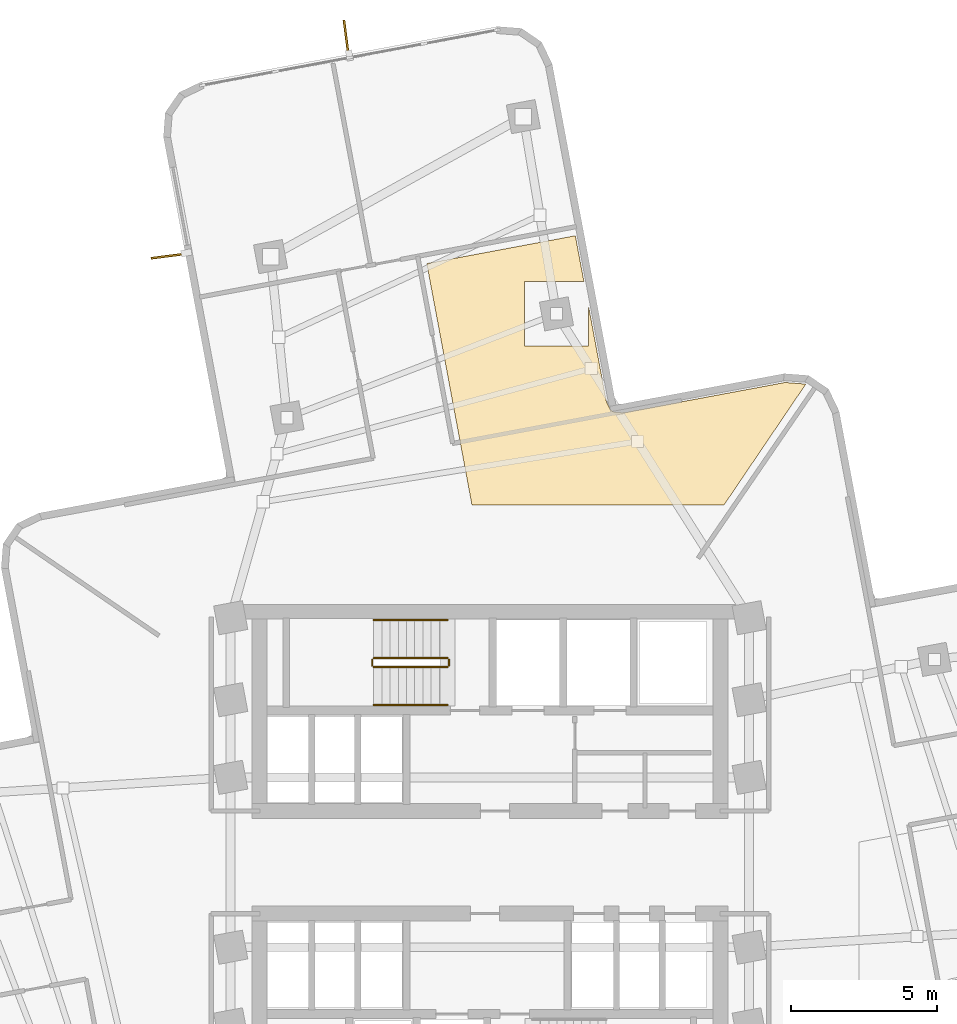
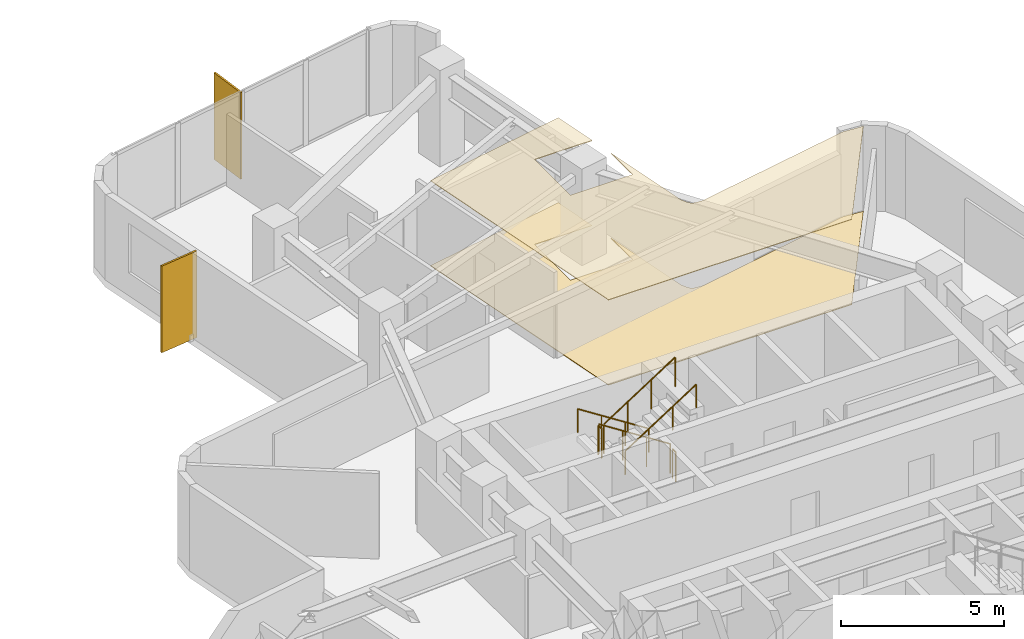
# One storey, part 12 of 12: 6 railings, 2 coverings, 2 shading devices.
"""IFC4 building model written with IfcOpenShell, lengths in metres."""

from ifc_helpers import new_model, si_unit, direction, frame, origin, origin_2d, place, context, subcontext, project, spatial, polyline, rectangle, circle, outline, extrude, material, layer, layer_set, type_object, element, save


model = new_model("IFC4")

# Units and contexts
model_context = context("Model", 3, precision=1e-05, world=origin(), true_north=direction((0.0, 1.0)))
body_context = subcontext(model_context, "Body", "Model", "MODEL_VIEW")
ifc_project = project(units=[si_unit("LENGTHUNIT", "METRE"), si_unit("AREAUNIT", "SQUARE_METRE"), si_unit("VOLUMEUNIT", "CUBIC_METRE"), si_unit("PLANEANGLEUNIT", "RADIAN"), si_unit("MASSUNIT", "GRAM", prefix="KILO")], contexts=[model_context])

# Site, building, storey
site_placement = place(None, origin())
site = spatial("IfcSite", under=ifc_project, at=site_placement, CompositionType="ELEMENT")
building_placement = place(site_placement, origin())
building = spatial("IfcBuilding", under=site, at=building_placement, Name="Solmarez Civic Tower", CompositionType="ELEMENT")
storey_placement = place(building_placement, frame((0.0, 0.0, 103.679931640625)))
storey = spatial("IfcBuildingStorey", under=building, at=storey_placement, Name="L27", CompositionType="ELEMENT", Elevation=103.679931640625)

# Coverings
ifc_material_1 = material(Name="Perforated Mineral-Fibre Acoustic Ceiling")
ifc_layer_1 = layer(ifc_material_1, 0.02490234375)
ifc_layer_set_1 = layer_set([ifc_layer_1], Name="Perforated Mineral-Fibre Acoustic Ceiling")
covering_type_1 = type_object("IfcCoveringType", Name="COV-CEIL-ACOUSTIC", PredefinedType="CEILING", material=ifc_layer_set_1)
covering_1_placement = place(storey_placement, frame((0.0, 0.0, 3.175048828125)))
element("IfcCovering", 1, at=covering_1_placement, inside=storey, type_object=covering_type_1, Name="L27 Suspended Acoustic Ceiling 1", PredefinedType="CEILING", context=body_context, shape_type="SweptSolid", body=[
    extrude(outline(polyline([(-0.614013671875, 12.199951171875), (7.990966796875, 12.199951171875), (10.781005859375, 16.322998046875), (10.77490234375, 16.326904296875), (10.069091796875, 16.381103515625), (4.56396484375, 15.35205078125), (4.554931640625, 15.35009765625), (4.548095703125, 15.34912109375), (4.51708984375, 15.346923828125), (4.5029296875, 15.346923828125), (4.486083984375, 15.347900390625), (4.31494140625, 15.361083984375), (4.304931640625, 15.362060546875), (4.297119140625, 15.363037109375), (4.280029296875, 15.364990234375), (4.263916015625, 15.368896484375), (4.257080078125, 15.37109375), (4.25, 15.373046875), (4.222900390625, 15.383056640625), (4.216064453125, 15.385986328125), (4.194091796875, 15.39697265625), (4.18701171875, 15.40087890625), (4.174072265625, 15.408935546875), (4.16796875, 15.4130859375), (4.14892578125, 15.427001953125), (4.14306640625, 15.431884765625), (4.136962890625, 15.43701171875), (4.1220703125, 15.450927734375), (4.10693359375, 15.467041015625), (4.09912109375, 15.47802734375), (4.0869140625, 15.493896484375), (4.075927734375, 15.511962890625), (4.06591796875, 15.533935546875), (3.992919921875, 15.68408203125), (3.985107421875, 15.701904296875), (3.97802734375, 15.722900390625), (3.97509765625, 15.73291015625), (3.972900390625, 15.739990234375), (3.968994140625, 15.760009765625), (3.37109375, 18.955078125), (3.37109375, 17.6240234375), (1.1708984375, 17.6240234375), (1.1708984375, 19.823974609375), (3.2080078125, 19.823974609375), (2.9150390625, 21.39111328125), (-2.156982421875, 20.44189453125), (-0.614013671875, 12.199951171875)])), origin(), (0.0, 0.0, 1.0), 0.02490234375),
])
ifc_material_2 = material(Name="Polished Tropical Stone Terrazzo Flooring", Category="masonry")
ifc_layer_2 = layer(ifc_material_2, 0.02001953125)
ifc_layer_set_2 = layer_set([ifc_layer_2], Name="Polished Tropical Stone Terrazzo Flooring")
covering_type_2 = type_object("IfcCoveringType", Name="COV-FLOOR-TERRAZZO", PredefinedType="FLOORING", material=ifc_layer_set_2)
covering_2_placement = place(storey_placement, origin())
element("IfcCovering", 2, at=covering_2_placement, inside=storey, type_object=covering_type_2, Name="L27 Terrazzo Floor Finish 1", PredefinedType="FLOORING", context=body_context, shape_type="SweptSolid", body=[
    extrude(outline(polyline([(-0.614013671875, 12.199951171875), (7.990966796875, 12.199951171875), (10.781005859375, 16.322998046875), (10.77490234375, 16.326904296875), (10.069091796875, 16.381103515625), (4.56396484375, 15.35205078125), (4.554931640625, 15.35009765625), (4.548095703125, 15.34912109375), (4.51708984375, 15.346923828125), (4.5029296875, 15.346923828125), (4.486083984375, 15.347900390625), (4.31494140625, 15.361083984375), (4.304931640625, 15.362060546875), (4.297119140625, 15.363037109375), (4.280029296875, 15.364990234375), (4.263916015625, 15.368896484375), (4.257080078125, 15.37109375), (4.25, 15.373046875), (4.222900390625, 15.383056640625), (4.216064453125, 15.385986328125), (4.194091796875, 15.39697265625), (4.18701171875, 15.40087890625), (4.174072265625, 15.408935546875), (4.16796875, 15.4130859375), (4.14892578125, 15.427001953125), (4.14306640625, 15.431884765625), (4.136962890625, 15.43701171875), (4.1220703125, 15.450927734375), (4.10693359375, 15.467041015625), (4.09912109375, 15.47802734375), (4.0869140625, 15.493896484375), (4.075927734375, 15.511962890625), (4.06591796875, 15.533935546875), (3.992919921875, 15.68408203125), (3.985107421875, 15.701904296875), (3.97802734375, 15.722900390625), (3.97509765625, 15.73291015625), (3.972900390625, 15.739990234375), (3.968994140625, 15.760009765625), (3.37109375, 18.955078125), (3.37109375, 17.6240234375), (1.1708984375, 17.6240234375), (1.1708984375, 19.823974609375), (3.2080078125, 19.823974609375), (2.9150390625, 21.39111328125), (-2.156982421875, 20.44189453125), (-0.614013671875, 12.199951171875)])), origin(), (0.0, 0.0, 1.0), 0.02001953125),
])

# Shading devices
ifc_material_3 = material(Name="Bronze Anodised Aluminium EN AW-6063 T6", Category="aluminium")
ifc_layer_3 = layer(ifc_material_3, 0.06494140625)
ifc_layer_set_3 = layer_set([ifc_layer_3], Name="Bronze Anodised Aluminium EN AW-6063 T6")
shading_device_type = type_object("IfcShadingDeviceType", Name="FIN-BRONZE-Z12", PredefinedType="USERDEFINED", material=ifc_layer_set_3)
for number, where, z_axis, x_axis, name in (
    (3, (-10.89990234375, 20.7080078125, -0.0400390625), (0.0, 0.0, 1.0), (-0.991731745768, -0.128328268269, 0.0), "L27 Anodised Bronze Solar Fin FIN-L27-04"),
    (4, (-4.89892578125, 28.0830078125, -0.0400390625), (0.0, 0.0, 1.0), (-0.128345577233, 0.991729505866, 0.0), "L27 Anodised Bronze Solar Fin FIN-L27-05"),
):
    element("IfcShadingDevice", number, at=place(storey_placement, frame(where, z_axis=z_axis, x_axis=x_axis)), inside=storey, type_object=shading_device_type, Name=name, ObjectType="FIN", PredefinedType="USERDEFINED", context=body_context, shape_type="SweptSolid", body=[
        extrude(rectangle(XDim=1.35009765625, YDim=0.06494140625, at=origin_2d()), origin(), (0.0, 0.0, 1.0), 3.239990234375),
    ])

# Railings
ifc_material_4 = material(Name="Painted Steel Stairwell Safety Guard", Category="steel")
railing_type_1 = type_object("IfcRailingType", Name="GUARD-STAIR-1120", PredefinedType="BALUSTRADE", material=ifc_material_4)
railing_1_placement = place(storey_placement, frame((-1.449951171875, 6.969970703125, 0.18017578125)))
element("IfcRailing", 5, at=railing_1_placement, inside=storey, type_object=railing_type_1, Name="L27 ST-1 stair guard 1", PredefinedType="BALUSTRADE", context=body_context, shape_type="SweptSolid", body=[
    extrude(circle(Radius=0.02392578125, at=origin_2d()), frame((0.0, 0.0, 1.09619140625), z_axis=(-0.841199657755, 0.0, 0.540724639528), x_axis=(0.0, -1.0, 0.0)), (0.0, 0.0, 1.0), 2.995849609375),
    extrude(circle(Radius=0.02099609375, at=origin_2d()), origin(), (0.0, 0.0, 1.0), 1.072021484375),
    extrude(circle(Radius=0.02099609375, at=origin_2d()), frame((-0.840087890625, 0.0, 0.5400390625)), (0.0, 0.0, 1.0), 1.072021484375),
    extrude(circle(Radius=0.02099609375, at=origin_2d()), frame((-1.679931640625, 0.0, 1.079833984375)), (0.0, 0.0, 1.0), 1.072021484375),
    extrude(circle(Radius=0.02099609375, at=origin_2d()), frame((-2.52001953125, 0.0, 1.619873046875)), (0.0, 0.0, 1.0), 1.072021484375),
])
railing_2_placement = place(storey_placement, frame((-4.02001953125, 6.919921875, 1.800048828125)))
element("IfcRailing", 6, at=railing_2_placement, inside=storey, type_object=railing_type_1, Name="L27 ST-1 stair guard 2", PredefinedType="BALUSTRADE", context=body_context, shape_type="SweptSolid", body=[
    extrude(circle(Radius=0.02392578125, at=origin_2d()), frame((0.0, 0.0, 1.09619140625), z_axis=(0.0, -1.0, 0.0), x_axis=(1.0, 0.0, 0.0)), (0.0, 0.0, 1.0), 0.199951171875),
    extrude(circle(Radius=0.02099609375, at=origin_2d()), origin(), (0.0, 0.0, 1.0), 1.072021484375),
    extrude(circle(Radius=0.02099609375, at=origin_2d()), frame((0.0, -0.199951171875, 0.0)), (0.0, 0.0, 1.0), 1.072021484375),
])
railing_3_placement = place(storey_placement, frame((-3.969970703125, 6.669921875, 1.97998046875)))
element("IfcRailing", 7, at=railing_3_placement, inside=storey, type_object=railing_type_1, Name="L27 ST-1 stair guard 3", PredefinedType="BALUSTRADE", context=body_context, shape_type="SweptSolid", body=[
    extrude(circle(Radius=0.02392578125, at=origin_2d()), frame((0.0, 0.0, 1.09619140625), z_axis=(0.841162588446, 0.0, 0.540782303519), x_axis=(0.0, 1.0, 0.0)), (0.0, 0.0, 1.0), 2.995849609375),
    extrude(circle(Radius=0.02099609375, at=origin_2d()), origin(), (0.0, 0.0, 1.0), 1.072021484375),
    extrude(circle(Radius=0.02099609375, at=origin_2d()), frame((0.840087890625, 0.0, 0.5400390625)), (0.0, 0.0, 1.0), 1.072021484375),
    extrude(circle(Radius=0.02099609375, at=origin_2d()), frame((1.679931640625, 0.0, 1.080078125)), (0.0, 0.0, 1.0), 1.072021484375),
    extrude(circle(Radius=0.02099609375, at=origin_2d()), frame((2.52001953125, 0.0, 1.6201171875)), (0.0, 0.0, 1.0), 1.072021484375),
])
railing_4_placement = place(storey_placement, frame((-1.39990234375, 6.919921875, 0.0)))
element("IfcRailing", 8, at=railing_4_placement, inside=storey, type_object=railing_type_1, Name="L27 ST-1 stair guard 4", PredefinedType="BALUSTRADE", context=body_context, shape_type="SweptSolid", body=[
    extrude(circle(Radius=0.02392578125, at=origin_2d()), frame((0.0, 0.0, 1.09619140625), z_axis=(0.0, -1.0, 0.0), x_axis=(1.0, 0.0, 0.0)), (0.0, 0.0, 1.0), 0.199951171875),
    extrude(circle(Radius=0.02099609375, at=origin_2d()), origin(), (0.0, 0.0, 1.0), 1.072021484375),
    extrude(circle(Radius=0.02099609375, at=origin_2d()), frame((0.0, -0.199951171875, 0.0)), (0.0, 0.0, 1.0), 1.072021484375),
])
ifc_material_5 = material(Name="Brushed Stainless Steel Tube Handrail", Category="steel")
railing_type_2 = type_object("IfcRailingType", Name="HANDRAIL-STAIR-900", PredefinedType="HANDRAIL", material=ifc_material_5)
railing_5_placement = place(storey_placement, frame((-1.449951171875, 8.27001953125, 0.18017578125)))
element("IfcRailing", 9, at=railing_5_placement, inside=storey, type_object=railing_type_2, Name="L27 ST-1 stair handrail 1", PredefinedType="HANDRAIL", context=body_context, shape_type="SweptSolid", body=[
    extrude(circle(Radius=0.02392578125, at=origin_2d()), frame((0.0, 0.0, 0.8759765625), z_axis=(-0.841199657755, 0.0, 0.540724639528), x_axis=(0.0, -1.0, 0.0)), (0.0, 0.0, 1.0), 2.995849609375),
    extrude(circle(Radius=0.02099609375, at=origin_2d()), origin(), (0.0, 0.0, 1.0), 0.851806640625),
    extrude(circle(Radius=0.02099609375, at=origin_2d()), frame((-0.840087890625, 0.0, 0.5400390625)), (0.0, 0.0, 1.0), 0.851806640625),
    extrude(circle(Radius=0.02099609375, at=origin_2d()), frame((-1.679931640625, 0.0, 1.079833984375)), (0.0, 0.0, 1.0), 0.851806640625),
    extrude(circle(Radius=0.02099609375, at=origin_2d()), frame((-2.52001953125, 0.0, 1.619873046875)), (0.0, 0.0, 1.0), 0.851806640625),
])
railing_6_placement = place(storey_placement, frame((-3.969970703125, 5.3701171875, 1.97998046875)))
element("IfcRailing", 10, at=railing_6_placement, inside=storey, type_object=railing_type_2, Name="L27 ST-1 stair handrail 2", PredefinedType="HANDRAIL", context=body_context, shape_type="SweptSolid", body=[
    extrude(circle(Radius=0.02392578125, at=origin_2d()), frame((0.0, 0.0, 0.8759765625), z_axis=(0.841162588446, 0.0, 0.540782303519), x_axis=(0.0, 1.0, 0.0)), (0.0, 0.0, 1.0), 2.995849609375),
    extrude(circle(Radius=0.02099609375, at=origin_2d()), origin(), (0.0, 0.0, 1.0), 0.851806640625),
    extrude(circle(Radius=0.02099609375, at=origin_2d()), frame((0.840087890625, 0.0, 0.5400390625)), (0.0, 0.0, 1.0), 0.851806640625),
    extrude(circle(Radius=0.02099609375, at=origin_2d()), frame((1.679931640625, 0.0, 1.080078125)), (0.0, 0.0, 1.0), 0.851806640625),
    extrude(circle(Radius=0.02099609375, at=origin_2d()), frame((2.52001953125, 0.0, 1.6201171875)), (0.0, 0.0, 1.0), 0.851806640625),
])

save(model, "model.ifc")
